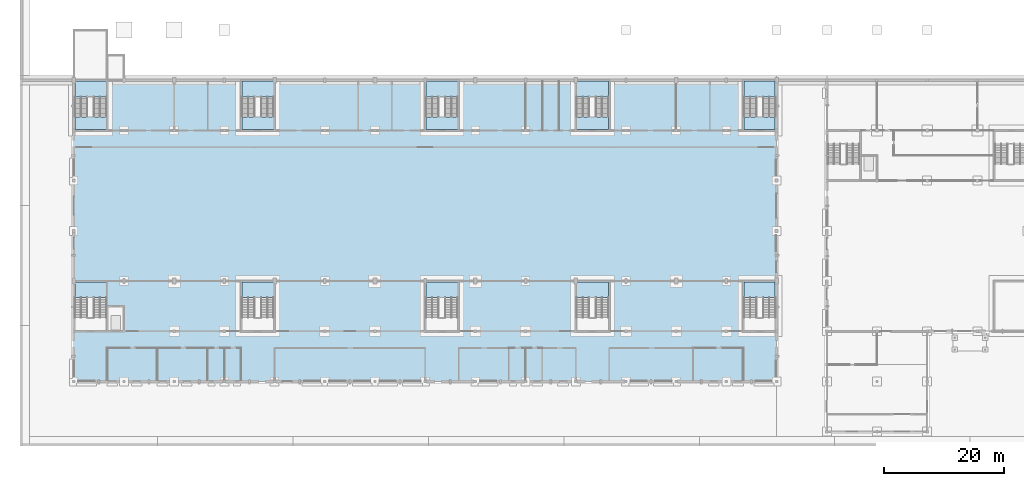
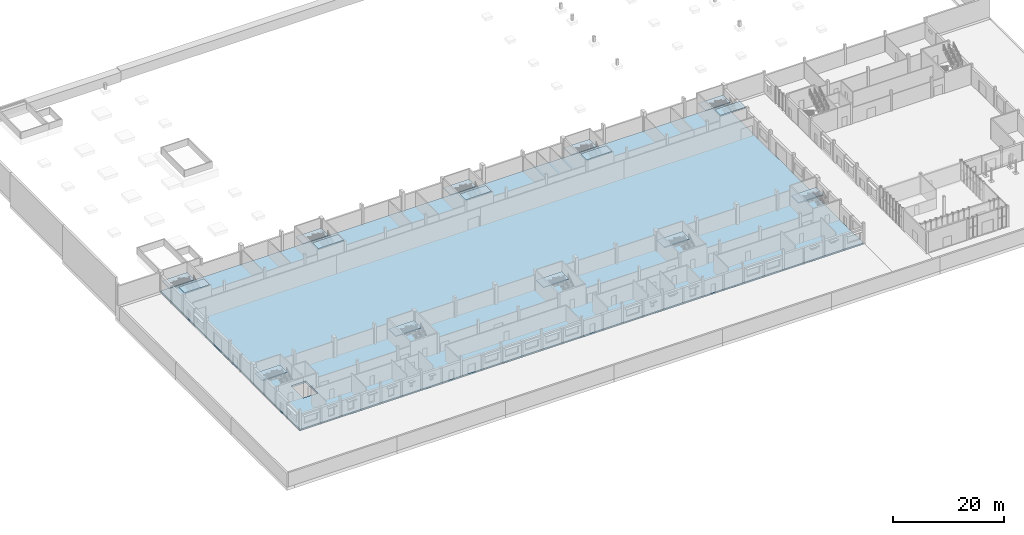
# One storey, part 14 of 36: 16 slabs, 10 elements without a shape of their own.
"""IFC4 building model written with IfcOpenShell, lengths in metres."""

from ifc_helpers import new_model, si_unit, direction, frame, origin, place, context, subcontext, project, spatial, polyline, outline, extrude, material, layer, layer_set, type_object, element, aggregate, save


model = new_model("IFC4")

# Units and contexts
model_context = context("Model", 3, precision=1e-05, world=origin(), true_north=direction((0.0, 1.0)))
body_context = subcontext(model_context, "Body", "Model", "MODEL_VIEW")
ifc_project = project(units=[si_unit("LENGTHUNIT", "METRE"), si_unit("AREAUNIT", "SQUARE_METRE"), si_unit("VOLUMEUNIT", "CUBIC_METRE"), si_unit("PLANEANGLEUNIT", "RADIAN"), si_unit("MASSUNIT", "GRAM", prefix="KILO")], contexts=[model_context])

# Site, building, storey
site_placement = place(None, origin())
site = spatial("IfcSite", under=ifc_project, at=site_placement, CompositionType="ELEMENT")
building_placement = place(site_placement, origin())
building = spatial("IfcBuilding", under=site, at=building_placement, Name="Fescue Hill Polytechnic", CompositionType="ELEMENT")
storey_placement = place(building_placement, origin())
storey = spatial("IfcBuildingStorey", under=building, at=storey_placement, Name="L00", CompositionType="ELEMENT", Elevation=0.0)

# Slab
ifc_material = material(Name="Concrete 35 MPa", Category="concrete")
ifc_layer_1 = layer(ifc_material, 0.35009765625)
ifc_layer_set_1 = layer_set([ifc_layer_1], Name="Concrete 35 MPa")
slab_type_1 = type_object("IfcSlabType", Name="Base slab 350", PredefinedType="BASESLAB", material=ifc_layer_set_1)
slab_1_placement = place(storey_placement, frame((0.0, 0.0, -0.35009765625)))
element("IfcSlab", 1, at=slab_1_placement, inside=storey, type_object=slab_type_1, Name="SL-L00-V1-1", PredefinedType="BASESLAB", context=body_context, shape_type="SweptSolid", body=[
    extrude(outline(polyline([(0.0, 0.0), (0.0, 50.39990234375), (117.60009765625, 50.39990234375), (117.60009765625, 0.0), (0.0, 0.0)]), holes=[polyline([(8.5, 12.699951171875), (5.5, 12.699951171875), (5.5, 8.300048828125), (8.5, 8.300048828125), (8.5, 12.699951171875)])]), origin(), (0.0, 0.0, 1.0), 0.35009765625),
])

# Stair, slab
stair_type = type_object("IfcStairType", Name="Half-turn stair 2150 flights", PredefinedType="HALF_TURN_STAIR", material=ifc_material)
stair_1_placement = place(storey_placement, origin())
stair_1 = element("IfcStair", 2, at=stair_1_placement, inside=storey, type_object=stair_type, Name="L00 ST-V1-1 stair", PredefinedType="HALF_TURN_STAIR")
ifc_layer_2 = layer(ifc_material, 0.199951171875)
ifc_layer_set_2 = layer_set([ifc_layer_2], Name="Concrete 35 MPa")
slab_type_2 = type_object("IfcSlabType", Name="Stair landing slab 200", PredefinedType="LANDING", material=ifc_layer_set_2)
slab_2_placement = place(storey_placement, frame((0.0, 0.0, 2.050048828125)))
slab_2 = element("IfcSlab", 3, at=slab_2_placement, type_object=slab_type_2, Name="S01 landing 1", PredefinedType="LANDING", context=body_context, shape_type="SweptSolid", body=[
    extrude(outline(polyline([(0.239990234375, 14.034912109375), (5.47509765625, 14.034912109375), (5.47509765625, 16.675048828125), (0.239990234375, 16.675048828125), (0.239990234375, 14.034912109375)])), origin(), (0.0, 0.0, 1.0), 0.199951171875),
])
aggregate(stair_1, [slab_2])

stair_2_placement = place(storey_placement, origin())
stair_2 = element("IfcStair", 4, at=stair_2_placement, inside=storey, type_object=stair_type, Name="L00 ST-V1-2 stair", PredefinedType="HALF_TURN_STAIR")
slab_3_placement = place(storey_placement, frame((0.0, 0.0, 2.050048828125)))
slab_3 = element("IfcSlab", 5, at=slab_3_placement, type_object=slab_type_2, Name="S02 landing 1", PredefinedType="LANDING", context=body_context, shape_type="SweptSolid", body=[
    extrude(outline(polyline([(28.125, 14.034912109375), (33.47509765625, 14.034912109375), (33.47509765625, 16.675048828125), (28.125, 16.675048828125), (28.125, 14.034912109375)])), origin(), (0.0, 0.0, 1.0), 0.199951171875),
])
aggregate(stair_2, [slab_3])

stair_3_placement = place(storey_placement, origin())
stair_3 = element("IfcStair", 6, at=stair_3_placement, inside=storey, type_object=stair_type, Name="L00 ST-V1-3 stair", PredefinedType="HALF_TURN_STAIR")
slab_4_placement = place(storey_placement, frame((0.0, 0.0, 2.050048828125)))
slab_4 = element("IfcSlab", 7, at=slab_4_placement, type_object=slab_type_2, Name="S03 landing 1", PredefinedType="LANDING", context=body_context, shape_type="SweptSolid", body=[
    extrude(outline(polyline([(58.925048828125, 14.034912109375), (64.27490234375, 14.034912109375), (64.27490234375, 16.675048828125), (58.925048828125, 16.675048828125), (58.925048828125, 14.034912109375)])), origin(), (0.0, 0.0, 1.0), 0.199951171875),
])
aggregate(stair_3, [slab_4])

stair_4_placement = place(storey_placement, origin())
stair_4 = element("IfcStair", 8, at=stair_4_placement, inside=storey, type_object=stair_type, Name="L00 ST-V1-4 stair", PredefinedType="HALF_TURN_STAIR")
slab_5_placement = place(storey_placement, frame((0.0, 0.0, 2.050048828125)))
slab_5 = element("IfcSlab", 9, at=slab_5_placement, type_object=slab_type_2, Name="S04 landing 1", PredefinedType="LANDING", context=body_context, shape_type="SweptSolid", body=[
    extrude(outline(polyline([(84.125, 14.034912109375), (89.47509765625, 14.034912109375), (89.47509765625, 16.675048828125), (84.125, 16.675048828125), (84.125, 14.034912109375)])), origin(), (0.0, 0.0, 1.0), 0.199951171875),
])
aggregate(stair_4, [slab_5])

stair_5_placement = place(storey_placement, origin())
stair_5 = element("IfcStair", 10, at=stair_5_placement, inside=storey, type_object=stair_type, Name="L00 ST-V1-10 stair", PredefinedType="HALF_TURN_STAIR")
slab_6_placement = place(storey_placement, frame((0.0, 0.0, 2.050048828125)))
slab_6 = element("IfcSlab", 11, at=slab_6_placement, type_object=slab_type_2, Name="S05 landing 1", PredefinedType="LANDING", context=body_context, shape_type="SweptSolid", body=[
    extrude(outline(polyline([(112.125, 14.034912109375), (117.360107421875, 14.034912109375), (117.360107421875, 16.675048828125), (112.125, 16.675048828125), (112.125, 14.034912109375)])), origin(), (0.0, 0.0, 1.0), 0.199951171875),
])
aggregate(stair_5, [slab_6])

# Stair, slabs
stair_6_placement = place(storey_placement, origin())
stair_6 = element("IfcStair", 12, at=stair_6_placement, inside=storey, type_object=stair_type, Name="L00 ST-V1-5 stair", PredefinedType="HALF_TURN_STAIR")
slab_7_placement = place(storey_placement, frame((0.0, 0.0, 2.050048828125)))
slab_7 = element("IfcSlab", 13, at=slab_7_placement, type_object=slab_type_2, Name="S06 landing 1", PredefinedType="LANDING", context=body_context, shape_type="SweptSolid", body=[
    extrude(outline(polyline([(0.239990234375, 47.635009765625), (5.47509765625, 47.635009765625), (5.47509765625, 50.27490234375), (0.239990234375, 50.27490234375), (0.239990234375, 47.635009765625)])), origin(), (0.0, 0.0, 1.0), 0.199951171875),
])
slab_8_placement = place(storey_placement, frame((0.0, 0.0, 4.300048828125)))
slab_8 = element("IfcSlab", 14, at=slab_8_placement, type_object=slab_type_2, Name="S06 landing 2", PredefinedType="LANDING", context=body_context, shape_type="SweptSolid", body=[
    extrude(outline(polyline([(0.239990234375, 42.125), (5.47509765625, 42.125), (5.47509765625, 44.27490234375), (0.239990234375, 44.27490234375), (0.239990234375, 42.125)])), origin(), (0.0, 0.0, 1.0), 0.199951171875),
])
aggregate(stair_6, [slab_7, slab_8])

stair_7_placement = place(storey_placement, origin())
stair_7 = element("IfcStair", 15, at=stair_7_placement, inside=storey, type_object=stair_type, Name="L00 ST-V1-6 stair", PredefinedType="HALF_TURN_STAIR")
slab_9_placement = place(storey_placement, frame((0.0, 0.0, 2.050048828125)))
slab_9 = element("IfcSlab", 16, at=slab_9_placement, type_object=slab_type_2, Name="S07 landing 1", PredefinedType="LANDING", context=body_context, shape_type="SweptSolid", body=[
    extrude(outline(polyline([(28.125, 47.635009765625), (33.47509765625, 47.635009765625), (33.47509765625, 50.27490234375), (28.125, 50.27490234375), (28.125, 47.635009765625)])), origin(), (0.0, 0.0, 1.0), 0.199951171875),
])
slab_10_placement = place(storey_placement, frame((0.0, 0.0, 4.300048828125)))
slab_10 = element("IfcSlab", 17, at=slab_10_placement, type_object=slab_type_2, Name="S07 landing 2", PredefinedType="LANDING", context=body_context, shape_type="SweptSolid", body=[
    extrude(outline(polyline([(28.125, 42.125), (33.47509765625, 42.125), (33.47509765625, 44.27490234375), (28.125, 44.27490234375), (28.125, 42.125)])), origin(), (0.0, 0.0, 1.0), 0.199951171875),
])
aggregate(stair_7, [slab_9, slab_10])

stair_8_placement = place(storey_placement, origin())
stair_8 = element("IfcStair", 18, at=stair_8_placement, inside=storey, type_object=stair_type, Name="L00 ST-V1-7 stair", PredefinedType="HALF_TURN_STAIR")
slab_11_placement = place(storey_placement, frame((0.0, 0.0, 2.050048828125)))
slab_11 = element("IfcSlab", 19, at=slab_11_placement, type_object=slab_type_2, Name="S08 landing 1", PredefinedType="LANDING", context=body_context, shape_type="SweptSolid", body=[
    extrude(outline(polyline([(58.925048828125, 47.635009765625), (64.27490234375, 47.635009765625), (64.27490234375, 50.27490234375), (58.925048828125, 50.27490234375), (58.925048828125, 47.635009765625)])), origin(), (0.0, 0.0, 1.0), 0.199951171875),
])
slab_12_placement = place(storey_placement, frame((0.0, 0.0, 4.300048828125)))
slab_12 = element("IfcSlab", 20, at=slab_12_placement, type_object=slab_type_2, Name="S08 landing 2", PredefinedType="LANDING", context=body_context, shape_type="SweptSolid", body=[
    extrude(outline(polyline([(58.925048828125, 42.125), (64.27490234375, 42.125), (64.27490234375, 44.27490234375), (58.925048828125, 44.27490234375), (58.925048828125, 42.125)])), origin(), (0.0, 0.0, 1.0), 0.199951171875),
])
aggregate(stair_8, [slab_11, slab_12])

stair_9_placement = place(storey_placement, origin())
stair_9 = element("IfcStair", 21, at=stair_9_placement, inside=storey, type_object=stair_type, Name="L00 ST-V1-8 stair", PredefinedType="HALF_TURN_STAIR")
slab_13_placement = place(storey_placement, frame((0.0, 0.0, 2.050048828125)))
slab_13 = element("IfcSlab", 22, at=slab_13_placement, type_object=slab_type_2, Name="S09 landing 1", PredefinedType="LANDING", context=body_context, shape_type="SweptSolid", body=[
    extrude(outline(polyline([(84.125, 47.635009765625), (89.47509765625, 47.635009765625), (89.47509765625, 50.27490234375), (84.125, 50.27490234375), (84.125, 47.635009765625)])), origin(), (0.0, 0.0, 1.0), 0.199951171875),
])
slab_14_placement = place(storey_placement, frame((0.0, 0.0, 4.300048828125)))
slab_14 = element("IfcSlab", 23, at=slab_14_placement, type_object=slab_type_2, Name="S09 landing 2", PredefinedType="LANDING", context=body_context, shape_type="SweptSolid", body=[
    extrude(outline(polyline([(84.125, 42.125), (89.47509765625, 42.125), (89.47509765625, 44.27490234375), (84.125, 44.27490234375), (84.125, 42.125)])), origin(), (0.0, 0.0, 1.0), 0.199951171875),
])
aggregate(stair_9, [slab_13, slab_14])

stair_10_placement = place(storey_placement, origin())
stair_10 = element("IfcStair", 24, at=stair_10_placement, inside=storey, type_object=stair_type, Name="L00 ST-V1-9 stair", PredefinedType="HALF_TURN_STAIR")
slab_15_placement = place(storey_placement, frame((0.0, 0.0, 2.050048828125)))
slab_15 = element("IfcSlab", 25, at=slab_15_placement, type_object=slab_type_2, Name="S10 landing 1", PredefinedType="LANDING", context=body_context, shape_type="SweptSolid", body=[
    extrude(outline(polyline([(112.125, 47.635009765625), (117.360107421875, 47.635009765625), (117.360107421875, 50.27490234375), (112.125, 50.27490234375), (112.125, 47.635009765625)])), origin(), (0.0, 0.0, 1.0), 0.199951171875),
])
slab_16_placement = place(storey_placement, frame((0.0, 0.0, 4.300048828125)))
slab_16 = element("IfcSlab", 26, at=slab_16_placement, type_object=slab_type_2, Name="S10 landing 2", PredefinedType="LANDING", context=body_context, shape_type="SweptSolid", body=[
    extrude(outline(polyline([(112.125, 42.125), (117.360107421875, 42.125), (117.360107421875, 44.27490234375), (112.125, 44.27490234375), (112.125, 42.125)])), origin(), (0.0, 0.0, 1.0), 0.199951171875),
])
aggregate(stair_10, [slab_15, slab_16])

save(model, "model.ifc")
